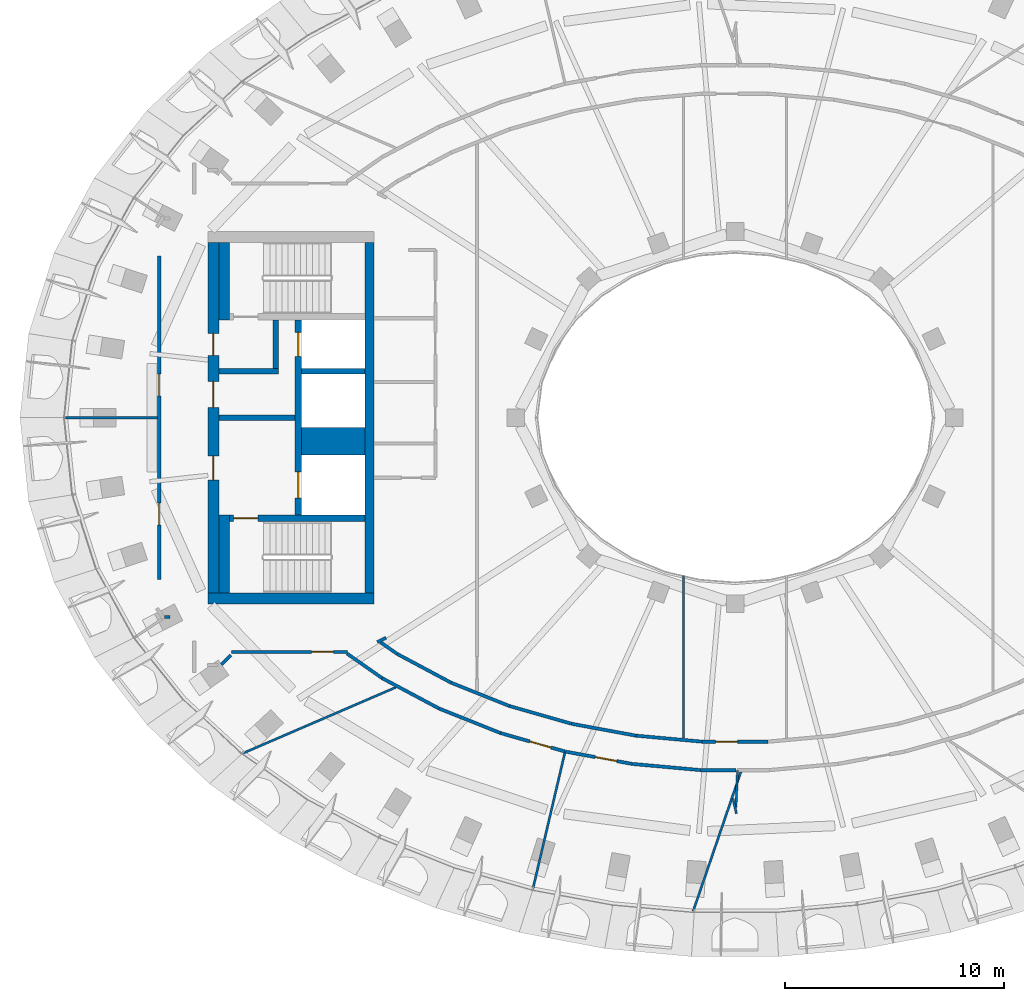
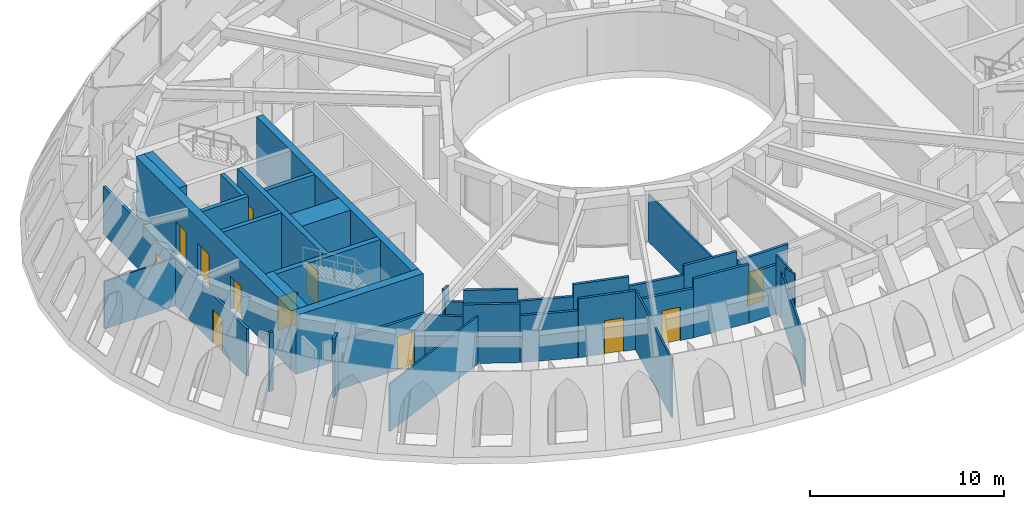
# One storey, part 3 of 13: 38 walls, 12 doors, 12 openings.
"""IFC4 building model written with IfcOpenShell, lengths in metres."""

from ifc_helpers import new_model, si_unit, direction, frame, frame_2d, origin, place, context, subcontext, project, spatial, rectangle, extrude, material, layer, layer_set, type_object, element, fill, save


model = new_model("IFC4")

# Units and contexts
model_context = context("Model", 3, precision=1e-05, world=origin(), true_north=direction((0.0, 1.0)))
body_context = subcontext(model_context, "Body", "Model", "MODEL_VIEW")
ifc_project = project(units=[si_unit("LENGTHUNIT", "METRE"), si_unit("AREAUNIT", "SQUARE_METRE"), si_unit("VOLUMEUNIT", "CUBIC_METRE"), si_unit("PLANEANGLEUNIT", "RADIAN"), si_unit("MASSUNIT", "GRAM", prefix="KILO")], contexts=[model_context])

# Site, building, storey
site_placement = place(None, origin())
site = spatial("IfcSite", under=ifc_project, at=site_placement, CompositionType="ELEMENT")
building_placement = place(site_placement, origin())
building = spatial("IfcBuilding", under=site, at=building_placement, Name="Noorbagh Ring Tower", CompositionType="ELEMENT")
storey_placement = place(building_placement, frame((0.0, 0.0, 347.0)))
storey = spatial("IfcBuildingStorey", under=building, at=storey_placement, Name="L76", CompositionType="ELEMENT", Elevation=347.0)

# Walls
ifc_material_1 = material(Name="Concrete C50/60", Category="concrete")
ifc_layer_1 = layer(ifc_material_1, 1.25)
ifc_layer_set_1 = layer_set([ifc_layer_1], Name="Concrete C50/60")
wall_type_1 = type_object("IfcWallType", Name="CORE-WALL-1250-C50-60-EI120", PredefinedType="SHEAR", material=ifc_layer_set_1)
wall_1_placement = place(storey_placement, frame((-16.89990234375, -1.074951171875, 0.0), z_axis=(0.0, 0.0, 1.0), x_axis=(-1.0, 0.0, 0.0)))
element("IfcWall", 1, at=wall_1_placement, inside=storey, type_object=wall_type_1, Name="Core wall W", PredefinedType="SHEAR", context=body_context, shape_type="SweptSolid", body=[
    extrude(rectangle(XDim=2.900146484375, YDim=1.25, at=frame_2d((1.4501953125, 0.0))), origin(), (0.0, 0.0, 1.0), 3.699951171875),
])
ifc_material_2 = material(Name="Concrete C50/60", Category="concrete")
ifc_layer_2 = layer(ifc_material_2, 0.25)
ifc_layer_set_2 = layer_set([ifc_layer_2], Name="Concrete C50/60")
wall_type_2 = type_object("IfcWallType", Name="CORE-WALL-250-C50-60-EI120", PredefinedType="SHEAR", material=ifc_layer_set_2)
wall_2_placement = place(storey_placement, frame((-16.89990234375, 2.125, 0.0), z_axis=(0.0, 0.0, 1.0), x_axis=(-1.0, 0.0, 0.0)))
element("IfcWall", 2, at=wall_2_placement, inside=storey, type_object=wall_type_2, Name="Core wall W", PredefinedType="SHEAR", context=body_context, shape_type="SweptSolid", body=[
    extrude(rectangle(XDim=2.900146484375, YDim=0.25, at=frame_2d((1.4501953125, 0.0))), origin(), (0.0, 0.0, 1.0), 3.699951171875),
])
ifc_material_3 = material(Name="Concrete C50/60", Category="concrete")
ifc_layer_3 = layer(ifc_material_3, 0.25)
ifc_layer_set_3 = layer_set([ifc_layer_3], Name="Concrete C50/60")
wall_type_3 = type_object("IfcWallType", Name="CORE-WALL-250-C50-60-EI240", PredefinedType="SHEAR", material=ifc_layer_set_3)
wall_3_placement = place(storey_placement, frame((-20.10009765625, 0.0, 0.0), z_axis=(0.0, 0.0, 1.0), x_axis=(-1.0, 0.0, 0.0)))
element("IfcWall", 3, at=wall_3_placement, inside=storey, type_object=wall_type_3, Name="Core wall W", PredefinedType="SHEAR", context=body_context, shape_type="SweptSolid", body=[
    extrude(rectangle(XDim=3.47998046875, YDim=0.25, at=frame_2d((1.739990234375, 0.0))), origin(), (0.0, 0.0, 1.0), 3.699951171875),
])
wall_4_placement = place(storey_placement, frame((-20.85009765625, 2.125, 0.0), z_axis=(0.0, 0.0, 1.0), x_axis=(-1.0, 0.0, 0.0)))
element("IfcWall", 4, at=wall_4_placement, inside=storey, type_object=wall_type_3, Name="Core wall W", PredefinedType="SHEAR", context=body_context, shape_type="SweptSolid", body=[
    extrude(rectangle(XDim=2.72998046875, YDim=0.25, at=frame_2d((1.364990234375, 0.0))), origin(), (0.0, 0.0, 1.0), 3.699951171875),
])
wall_5_placement = place(storey_placement, frame((-20.97509765625, 2.25, 0.0), z_axis=(0.0, 0.0, 1.0), x_axis=(0.0, 1.0, 0.0)))
element("IfcWall", 5, at=wall_5_placement, inside=storey, type_object=wall_type_3, Name="Core wall W", PredefinedType="SHEAR", context=body_context, shape_type="SweptSolid", body=[
    extrude(rectangle(XDim=2.199951171875, YDim=0.25, at=frame_2d((1.10009765625, 0.0))), origin(), (0.0, 0.0, 1.0), 3.699951171875),
])

# Wall, openings, doors
ifc_material_4 = material(Name="Concrete C50/60", Category="concrete")
ifc_layer_4 = layer(ifc_material_4, 0.300048828125)
ifc_layer_set_4 = layer_set([ifc_layer_4], Name="Concrete C50/60")
wall_type_4 = type_object("IfcWallType", Name="CORE-WALL-300-C50-60-EI120", PredefinedType="SHEAR", material=ifc_layer_set_4)
wall_6_placement = place(storey_placement, frame((-19.949951171875, -4.449951171875, 0.0), z_axis=(0.0, 0.0, 1.0), x_axis=(0.0, 1.0, 0.0)))
wall_6 = element("IfcWall", 6, at=wall_6_placement, inside=storey, type_object=wall_type_4, Name="Core wall W", PredefinedType="SHEAR", context=body_context, shape_type="SweptSolid", body=[
    extrude(rectangle(XDim=8.89990234375, YDim=0.300048828125, at=frame_2d((4.449951171875, 0.0))), origin(), (0.0, 0.0, 1.0), 3.699951171875),
])
opening_1_placement = place(wall_6_placement, frame((0.77490234375, 0.0, 0.0)))
opening_1 = element("IfcOpeningElement", 7, at=opening_1_placement, cuts=wall_6, Name="Opening L76-CW01", PredefinedType="OPENING", context=body_context, shape_type="SweptSolid", body=[
    extrude(rectangle(XDim=1.199951171875, YDim=2.10009765625, at=frame_2d((0.60009765625, 1.050048828125))), frame((0.0, 0.16015625, 0.0), z_axis=(0.0, -1.0, 0.0), x_axis=(1.0, 0.0, 0.0)), (0.0, 0.0, 1.0), 0.320068359375),
])
opening_2_placement = place(wall_6_placement, frame((7.25, 0.0, 0.0)))
opening_2 = element("IfcOpeningElement", 8, at=opening_2_placement, cuts=wall_6, Name="Opening L76-CW02", PredefinedType="OPENING", context=body_context, shape_type="SweptSolid", body=[
    extrude(rectangle(XDim=1.10009765625, YDim=2.10009765625, at=frame_2d((0.550048828125, 1.050048828125))), frame((0.0, 0.16015625, 0.0), z_axis=(0.0, -1.0, 0.0), x_axis=(1.0, 0.0, 0.0)), (0.0, 0.0, 1.0), 0.320068359375),
])
ifc_material_5 = material(Name="Steel door leaf", Category="steel")
door_type_1 = type_object("IfcDoorType", Name="CORE-DOOR-LD", OperationType="DOUBLE_DOOR_SLIDING", PredefinedType="DOOR", material=ifc_material_5)
door_1_placement = place(opening_2_placement, origin())
door_1 = element("IfcDoor", 9, at=door_1_placement, inside=storey, type_object=door_type_1, Name="Landing door HR1 L76-CW02", OperationType="DOUBLE_DOOR_SLIDING", OverallHeight=2.10009765625, OverallWidth=1.10009765625, PredefinedType="DOOR", context=body_context, shape_type="SweptSolid", body=[
    extrude(rectangle(XDim=1.10009765625, YDim=2.10009765625, at=frame_2d((0.550048828125, 1.050048828125))), frame((0.0, 0.02490234375, 0.0), z_axis=(0.0, -1.0, 0.0), x_axis=(1.0, 0.0, 0.0)), (0.0, 0.0, 1.0), 0.050048828125),
])
fill(opening_2, door_1)
ifc_material_6 = material(Name="Steel door leaf", Category="steel")
door_type_2 = type_object("IfcDoorType", Name="CORE-DOOR-LDW", OperationType="DOUBLE_DOOR_SLIDING", PredefinedType="DOOR", material=ifc_material_6)
door_2_placement = place(opening_1_placement, origin())
door_2 = element("IfcDoor", 10, at=door_2_placement, inside=storey, type_object=door_type_2, Name="Landing door FF1 L76-CW01", OperationType="DOUBLE_DOOR_SLIDING", OverallHeight=2.10009765625, OverallWidth=1.199951171875, PredefinedType="DOOR", context=body_context, shape_type="SweptSolid", body=[
    extrude(rectangle(XDim=1.199951171875, YDim=2.10009765625, at=frame_2d((0.60009765625, 1.050048828125))), frame((0.0, 0.02490234375, 0.0), z_axis=(0.0, -1.0, 0.0), x_axis=(1.0, 0.0, 0.0)), (0.0, 0.0, 1.0), 0.050048828125),
])
fill(opening_1, door_2)

# Wall, opening, door
ifc_material_7 = material(Name="Concrete C50/60", Category="concrete")
ifc_layer_5 = layer(ifc_material_7, 0.300048828125)
ifc_layer_set_5 = layer_set([ifc_layer_5], Name="Concrete C50/60")
wall_type_5 = type_object("IfcWallType", Name="CORE-WALL-300-C50-60-EI240", PredefinedType="SHEAR", material=ifc_layer_set_5)
wall_7_placement = place(storey_placement, frame((-16.89990234375, -4.60009765625, 0.0), z_axis=(0.0, 0.0, 1.0), x_axis=(-1.0, 0.0, 0.0)))
wall_7 = element("IfcWall", 11, at=wall_7_placement, inside=storey, type_object=wall_type_5, Name="Core wall W", PredefinedType="SHEAR", context=body_context, shape_type="SweptSolid", body=[
    extrude(rectangle(XDim=6.18017578125, YDim=0.300048828125, at=frame_2d((3.090087890625, 0.0))), origin(), (0.0, 0.0, 1.0), 3.699951171875),
])
opening_3_placement = place(wall_7_placement, frame((4.89990234375, 0.0, 0.0)))
opening_3 = element("IfcOpeningElement", 12, at=opening_3_placement, cuts=wall_7, Name="Opening L76-CW04", PredefinedType="OPENING", context=body_context, shape_type="SweptSolid", body=[
    extrude(rectangle(XDim=1.10009765625, YDim=2.10009765625, at=frame_2d((0.550048828125, 1.050048828125))), frame((0.0, 0.16015625, 0.0), z_axis=(0.0, -1.0, 0.0), x_axis=(1.0, 0.0, 0.0)), (0.0, 0.0, 1.0), 0.320068359375),
])
ifc_material_8 = material(Name="Steel door leaf", Category="steel")
door_type_3 = type_object("IfcDoorType", Name="CORE-DOOR-DSTAIR", OperationType="SINGLE_SWING_LEFT", PredefinedType="DOOR", material=ifc_material_8)
door_3_placement = place(opening_3_placement, origin())
door_3 = element("IfcDoor", 13, at=door_3_placement, inside=storey, type_object=door_type_3, Name="Stair door ST2 L76-CW04", OperationType="SINGLE_SWING_LEFT", OverallHeight=2.10009765625, OverallWidth=1.10009765625, PredefinedType="DOOR", context=body_context, shape_type="SweptSolid", body=[
    extrude(rectangle(XDim=1.10009765625, YDim=2.10009765625, at=frame_2d((0.550048828125, 1.050048828125))), frame((0.0, 0.02490234375, 0.0), z_axis=(0.0, -1.0, 0.0), x_axis=(1.0, 0.0, 0.0)), (0.0, 0.0, 1.0), 0.050048828125),
])
fill(opening_3, door_3)

# Walls
ifc_material_9 = material(Name="Concrete C50/60", Category="concrete")
ifc_layer_6 = layer(ifc_material_9, 0.39990234375)
ifc_layer_set_6 = layer_set([ifc_layer_6], Name="Concrete C50/60")
wall_type_6 = type_object("IfcWallType", Name="CORE-WALL-400-C50-60-EI240", PredefinedType="SHEAR", material=ifc_layer_set_6)
wall_8_placement = place(storey_placement, frame((-16.699951171875, -8.0, 0.0), z_axis=(0.0, 0.0, 1.0), x_axis=(0.0, 1.0, 0.0)))
element("IfcWall", 14, at=wall_8_placement, inside=storey, type_object=wall_type_6, Name="Core wall W", PredefinedType="SHEAR", context=body_context, shape_type="SweptSolid", body=[
    extrude(rectangle(XDim=16.0, YDim=0.39990234375, at=frame_2d((8.0, 0.0))), origin(), (0.0, 0.0, 1.0), 3.699951171875),
])
ifc_material_10 = material(Name="Concrete C50/60", Category="concrete")
ifc_layer_7 = layer(ifc_material_10, 0.5)
ifc_layer_set_7 = layer_set([ifc_layer_7], Name="Concrete C50/60")
wall_type_7 = type_object("IfcWallType", Name="CORE-WALL-500-C50-60-EI240", PredefinedType="SHEAR", material=ifc_layer_set_7)
wall_9_placement = place(storey_placement, frame((-16.5, -8.25, 0.0), z_axis=(0.0, 0.0, 1.0), x_axis=(-1.0, 0.0, 0.0)))
element("IfcWall", 15, at=wall_9_placement, inside=storey, type_object=wall_type_7, Name="Core wall W", PredefinedType="SHEAR", context=body_context, shape_type="SweptSolid", body=[
    extrude(rectangle(XDim=7.580078125, YDim=0.5, at=frame_2d((3.7900390625, 0.0))), origin(), (0.0, 0.0, 1.0), 3.699951171875),
])

# Wall, openings, doors
wall_10_placement = place(storey_placement, frame((-23.830078125, -8.0, 0.0), z_axis=(0.0, 0.0, 1.0), x_axis=(0.0, 1.0, 0.0)))
wall_10 = element("IfcWall", 16, at=wall_10_placement, inside=storey, type_object=wall_type_7, Name="Core wall W", PredefinedType="SHEAR", context=body_context, shape_type="SweptSolid", body=[
    extrude(rectangle(XDim=16.0, YDim=0.5, at=frame_2d((8.0, 0.0))), origin(), (0.0, 0.0, 1.0), 3.699951171875),
])
opening_4_placement = place(wall_10_placement, frame((5.14990234375, 0.0, 0.0)))
opening_4 = element("IfcOpeningElement", 17, at=opening_4_placement, cuts=wall_10, Name="Opening L76-CW05", PredefinedType="OPENING", context=body_context, shape_type="SweptSolid", body=[
    extrude(rectangle(XDim=1.10009765625, YDim=2.10009765625, at=frame_2d((0.550048828125, 1.050048828125))), frame((0.0, 0.260009765625, 0.0), z_axis=(0.0, -1.0, 0.0), x_axis=(1.0, 0.0, 0.0)), (0.0, 0.0, 1.0), 0.52001953125),
])
opening_5_placement = place(wall_10_placement, frame((10.85009765625, 0.0, 0.0)))
opening_5 = element("IfcOpeningElement", 18, at=opening_5_placement, cuts=wall_10, Name="Opening L76-CW06", PredefinedType="OPENING", context=body_context, shape_type="SweptSolid", body=[
    extrude(rectangle(XDim=1.0, YDim=2.10009765625, at=frame_2d((0.5, 1.050048828125))), frame((0.0, 0.260009765625, 0.0), z_axis=(0.0, -1.0, 0.0), x_axis=(1.0, 0.0, 0.0)), (0.0, 0.0, 1.0), 0.52001953125),
])
opening_6_placement = place(wall_10_placement, frame((8.4599609375, 0.0, 0.0)))
opening_6 = element("IfcOpeningElement", 19, at=opening_6_placement, cuts=wall_10, Name="Opening L76-CW07", PredefinedType="OPENING", context=body_context, shape_type="SweptSolid", body=[
    extrude(rectangle(XDim=1.199951171875, YDim=2.10009765625, at=frame_2d((0.60009765625, 1.050048828125))), frame((0.0, 0.260009765625, 0.0), z_axis=(0.0, -1.0, 0.0), x_axis=(1.0, 0.0, 0.0)), (0.0, 0.0, 1.0), 0.52001953125),
])
ifc_material_11 = material(Name="Steel door leaf", Category="steel")
door_type_4 = type_object("IfcDoorType", Name="CORE-DOOR-DFF", OperationType="SINGLE_SWING_LEFT", PredefinedType="DOOR", material=ifc_material_11)
door_4_placement = place(opening_4_placement, origin())
door_4 = element("IfcDoor", 20, at=door_4_placement, inside=storey, type_object=door_type_4, Name="Firefighting lobby door L76-CW05", OperationType="SINGLE_SWING_LEFT", OverallHeight=2.10009765625, OverallWidth=1.10009765625, PredefinedType="DOOR", context=body_context, shape_type="SweptSolid", body=[
    extrude(rectangle(XDim=1.10009765625, YDim=2.10009765625, at=frame_2d((0.550048828125, 1.050048828125))), frame((0.0, 0.02490234375, 0.0), z_axis=(0.0, -1.0, 0.0), x_axis=(1.0, 0.0, 0.0)), (0.0, 0.0, 1.0), 0.050048828125),
])
fill(opening_4, door_4)
ifc_material_12 = material(Name="Steel door leaf", Category="steel")
door_type_5 = type_object("IfcDoorType", Name="CORE-DOOR-DVEST", OperationType="SINGLE_SWING_LEFT", PredefinedType="DOOR", material=ifc_material_12)
door_5_placement = place(opening_5_placement, origin())
door_5 = element("IfcDoor", 21, at=door_5_placement, inside=storey, type_object=door_type_5, Name="Stair vestibule door L76-CW06", OperationType="SINGLE_SWING_LEFT", OverallHeight=2.10009765625, OverallWidth=1.0, PredefinedType="DOOR", context=body_context, shape_type="SweptSolid", body=[
    extrude(rectangle(XDim=1.0, YDim=2.10009765625, at=frame_2d((0.5, 1.050048828125))), frame((0.0, 0.02490234375, 0.0), z_axis=(0.0, -1.0, 0.0), x_axis=(1.0, 0.0, 0.0)), (0.0, 0.0, 1.0), 0.050048828125),
])
fill(opening_5, door_5)
ifc_material_13 = material(Name="Steel door leaf", Category="steel")
door_type_6 = type_object("IfcDoorType", Name="CORE-DOOR-PORT", OperationType="DOUBLE_DOOR_DOUBLE_SWING", PredefinedType="DOOR", material=ifc_material_13)
door_6_placement = place(opening_6_placement, origin())
door_6 = element("IfcDoor", 22, at=door_6_placement, inside=storey, type_object=door_type_6, Name="Core entrance door L76-CW07", OperationType="DOUBLE_DOOR_DOUBLE_SWING", OverallHeight=2.10009765625, OverallWidth=1.199951171875, PredefinedType="DOOR", context=body_context, shape_type="SweptSolid", body=[
    extrude(rectangle(XDim=1.199951171875, YDim=2.10009765625, at=frame_2d((0.60009765625, 1.050048828125))), frame((0.0, 0.02490234375, 0.0), z_axis=(0.0, -1.0, 0.0), x_axis=(1.0, 0.0, 0.0)), (0.0, 0.0, 1.0), 0.050048828125),
])
fill(opening_6, door_6)

# Walls
for number, where, z_axis, x_axis, name in (
    (23, (-23.330078125, 4.449951171875, 0.0), (0.0, 0.0, 1.0), (0.0, 1.0, 0.0), "Core wall W"),
    (24, (-23.330078125, -8.0, 0.0), (0.0, 0.0, 1.0), (0.0, 1.0, 0.0), "Core wall W"),
):
    element("IfcWall", number, at=place(storey_placement, frame(where, z_axis=z_axis, x_axis=x_axis)), inside=storey, type_object=wall_type_7, Name=name, PredefinedType="SHEAR", context=body_context, shape_type="SweptSolid", body=[
        extrude(rectangle(XDim=3.550048828125, YDim=0.5, at=frame_2d((1.77490234375, 0.0))), origin(), (0.0, 0.0, 1.0), 3.699951171875),
    ])

# Wall, openings, doors
ifc_material_14 = material(Name="Gypsum board on steel studs", Category="steel")
ifc_layer_8 = layer(ifc_material_14, 0.14990234375)
ifc_layer_set_8 = layer_set([ifc_layer_8], Name="Gypsum board on steel studs")
wall_type_8 = type_object("IfcWallType", Name="CORRIDOR PARTITION 150 EI 30", PredefinedType="PARTITIONING", material=ifc_layer_set_8)
wall_11_placement = place(storey_placement, frame((-26.300048828125, -7.385986328125, 0.0), z_axis=(0.0, 0.0, 1.0), x_axis=(0.0, 1.0, 0.0)))
wall_11 = element("IfcWall", 25, at=wall_11_placement, inside=storey, type_object=wall_type_8, Name="L76/wall/P06", PredefinedType="PARTITIONING", context=body_context, shape_type="SweptSolid", body=[
    extrude(rectangle(XDim=14.779052734375, YDim=0.14990234375, at=frame_2d((7.3896484375, 0.0))), origin(), (0.0, 0.0, 1.0), 3.0),
])
opening_7_placement = place(wall_11_placement, frame((2.486083984375, 0.0, 0.0)))
opening_7 = element("IfcOpeningElement", 26, at=opening_7_placement, cuts=wall_11, Name="Opening D1", PredefinedType="OPENING", context=body_context, shape_type="SweptSolid", body=[
    extrude(rectangle(XDim=1.0, YDim=2.10009765625, at=frame_2d((0.5, 1.050048828125))), frame((0.0, 0.0849609375, 0.0), z_axis=(0.0, -1.0, 0.0), x_axis=(1.0, 0.0, 0.0)), (0.0, 0.0, 1.0), 0.169921875),
])
opening_8_placement = place(wall_11_placement, frame((8.37890625, 0.0, 0.0)))
opening_8 = element("IfcOpeningElement", 27, at=opening_8_placement, cuts=wall_11, Name="Opening D1", PredefinedType="OPENING", context=body_context, shape_type="SweptSolid", body=[
    extrude(rectangle(XDim=1.0, YDim=2.10009765625, at=frame_2d((0.5, 1.050048828125))), frame((0.0, 0.0849609375, 0.0), z_axis=(0.0, -1.0, 0.0), x_axis=(1.0, 0.0, 0.0)), (0.0, 0.0, 1.0), 0.169921875),
])
ifc_material_15 = material(Name="Timber, painted", Category="wood")
door_type_7 = type_object("IfcDoorType", Name="DOOR 1000 X 2100 FD30", OperationType="SINGLE_SWING_LEFT", PredefinedType="DOOR", material=ifc_material_15)
door_7_placement = place(opening_7_placement, origin())
door_7 = element("IfcDoor", 28, at=door_7_placement, inside=storey, type_object=door_type_7, Name="L76-D06", OperationType="SINGLE_SWING_RIGHT", OverallHeight=2.10009765625, OverallWidth=1.0, PredefinedType="DOOR", context=body_context, shape_type="SweptSolid", body=[
    extrude(rectangle(XDim=1.0, YDim=2.10009765625, at=frame_2d((0.5, 1.050048828125))), frame((0.0, 0.02490234375, 0.0), z_axis=(0.0, -1.0, 0.0), x_axis=(1.0, 0.0, 0.0)), (0.0, 0.0, 1.0), 0.050048828125),
])
fill(opening_7, door_7)
door_8_placement = place(opening_8_placement, origin())
door_8 = element("IfcDoor", 29, at=door_8_placement, inside=storey, type_object=door_type_7, Name="L76-D07", OperationType="SINGLE_SWING_RIGHT", OverallHeight=2.10009765625, OverallWidth=1.0, PredefinedType="DOOR", context=body_context, shape_type="SweptSolid", body=[
    extrude(rectangle(XDim=1.0, YDim=2.10009765625, at=frame_2d((0.5, 1.050048828125))), frame((0.0, 0.02490234375, 0.0), z_axis=(0.0, -1.0, 0.0), x_axis=(1.0, 0.0, 0.0)), (0.0, 0.0, 1.0), 0.050048828125),
])
fill(opening_8, door_8)

# Wall
wall_12_placement = place(storey_placement, frame((-26.05810546875, -9.10009765625, 0.0), z_axis=(0.0, 0.0, 1.0), x_axis=(1.0, 0.0, 0.0)))
element("IfcWall", 30, at=wall_12_placement, inside=storey, type_object=wall_type_8, Name="L76/wall/P07", PredefinedType="PARTITIONING", context=body_context, shape_type="SweptSolid", body=[
    extrude(rectangle(XDim=0.251220703125, YDim=0.14990234375, at=frame_2d((0.12548828125, 0.0))), origin(), (0.0, 0.0, 1.0), 3.699951171875),
])

# Wall, opening, door
wall_13_placement = place(storey_placement, frame((-22.992919921875, -10.699951171875, 0.0), z_axis=(0.0, 0.0, 1.0), x_axis=(1.0, 0.0, 0.0)))
wall_13 = element("IfcWall", 31, at=wall_13_placement, inside=storey, type_object=wall_type_8, Name="L76/wall/P13", PredefinedType="PARTITIONING", context=body_context, shape_type="SweptSolid", body=[
    extrude(rectangle(XDim=5.2919921875, YDim=0.14990234375, at=frame_2d((2.64599609375, 0.0))), origin(), (0.0, 0.0, 1.0), 3.0),
])
opening_9_placement = place(wall_13_placement, frame((3.64990234375, 0.0, 0.0)))
opening_9 = element("IfcOpeningElement", 32, at=opening_9_placement, cuts=wall_13, Name="Opening D1", PredefinedType="OPENING", context=body_context, shape_type="SweptSolid", body=[
    extrude(rectangle(XDim=1.0, YDim=2.10009765625, at=frame_2d((0.5, 1.050048828125))), frame((0.0, 0.0849609375, 0.0), z_axis=(0.0, -1.0, 0.0), x_axis=(1.0, 0.0, 0.0)), (0.0, 0.0, 1.0), 0.169921875),
])
door_9_placement = place(opening_9_placement, origin())
door_9 = element("IfcDoor", 33, at=door_9_placement, inside=storey, type_object=door_type_7, Name="L76-D08", OperationType="SINGLE_SWING_RIGHT", OverallHeight=2.10009765625, OverallWidth=1.0, PredefinedType="DOOR", context=body_context, shape_type="SweptSolid", body=[
    extrude(rectangle(XDim=1.0, YDim=2.10009765625, at=frame_2d((0.5, 1.050048828125))), frame((0.0, 0.02490234375, 0.0), z_axis=(0.0, -1.0, 0.0), x_axis=(1.0, 0.0, 0.0)), (0.0, 0.0, 1.0), 0.050048828125),
])
fill(opening_9, door_9)

# Walls
wall_14_placement = place(storey_placement, frame((-17.72509765625, -10.77490234375, 0.0), z_axis=(0.0, 0.0, 1.0), x_axis=(0.819366063165, -0.573270664288, 0.0)))
element("IfcWall", 34, at=wall_14_placement, inside=storey, type_object=wall_type_8, Name="L76/wall/P17", PredefinedType="PARTITIONING", context=body_context, shape_type="SweptSolid", body=[
    extrude(rectangle(XDim=1.96630859375, YDim=0.14990234375, at=frame_2d((0.983154296875, 0.0))), origin(), (0.0, 0.0, 1.0), 2.949951171875),
])
wall_15_placement = place(storey_placement, frame((-16.3369140625, -10.2509765625, 0.0), z_axis=(0.0, 0.0, 1.0), x_axis=(0.894869210213, 0.446328462696, 0.0)))
element("IfcWall", 35, at=wall_15_placement, inside=storey, type_object=wall_type_8, Name="L76/wall/P23", PredefinedType="PARTITIONING", context=body_context, shape_type="SweptSolid", body=[
    extrude(rectangle(XDim=0.44140625, YDim=0.14990234375, at=frame_2d((0.220703125, 0.0))), origin(), (0.0, 0.0, 1.0), 3.699951171875),
])
wall_16_placement = place(storey_placement, frame((-16.19091796875, -10.261962890625, 0.0), z_axis=(0.0, 0.0, 1.0), x_axis=(0.819455106519, -0.573143375081, 0.0)))
element("IfcWall", 36, at=wall_16_placement, inside=storey, type_object=wall_type_8, Name="L76/wall/P24", PredefinedType="PARTITIONING", context=body_context, shape_type="SweptSolid", body=[
    extrude(rectangle(XDim=0.9248046875, YDim=0.14990234375, at=frame_2d((0.46240234375, 0.0))), origin(), (0.0, 0.0, 1.0), 2.949951171875),
])
wall_17_placement = place(storey_placement, frame((-16.114013671875, -11.902099609375, 0.0), z_axis=(0.0, 0.0, 1.0), x_axis=(0.882371338396, -0.470553738883, 0.0)))
element("IfcWall", 37, at=wall_17_placement, inside=storey, type_object=wall_type_8, Name="L76/wall/P27", PredefinedType="PARTITIONING", context=body_context, shape_type="SweptSolid", body=[
    extrude(rectangle(XDim=2.938720703125, YDim=0.14990234375, at=frame_2d((1.46923828125, 0.0))), origin(), (0.0, 0.0, 1.0), 3.699951171875),
])
wall_18_placement = place(storey_placement, frame((-15.43310546875, -10.7919921875, 0.0), z_axis=(0.0, 0.0, 1.0), x_axis=(0.882445003112, -0.470415578487, 0.0)))
element("IfcWall", 38, at=wall_18_placement, inside=storey, type_object=wall_type_8, Name="L76/wall/P29", PredefinedType="PARTITIONING", context=body_context, shape_type="SweptSolid", body=[
    extrude(rectangle(XDim=2.7890625, YDim=0.14990234375, at=frame_2d((1.39453125, 0.0))), origin(), (0.0, 0.0, 1.0), 3.699951171875),
])
wall_19_placement = place(storey_placement, frame((-13.52099609375, -13.284912109375, 0.0), z_axis=(0.0, 0.0, 1.0), x_axis=(0.928710811389, -0.370804839248, 0.0)))
element("IfcWall", 39, at=wall_19_placement, inside=storey, type_object=wall_type_8, Name="L76/wall/P34", PredefinedType="PARTITIONING", context=body_context, shape_type="SweptSolid", body=[
    extrude(rectangle(XDim=3.01806640625, YDim=0.14990234375, at=frame_2d((1.509033203125, 0.0))), origin(), (0.0, 0.0, 1.0), 2.949951171875),
])
wall_20_placement = place(storey_placement, frame((-12.971923828125, -12.10400390625, 0.0), z_axis=(0.0, 0.0, 1.0), x_axis=(0.928576025609, -0.371142243168, 0.0)))
element("IfcWall", 40, at=wall_20_placement, inside=storey, type_object=wall_type_8, Name="L76/wall/P36", PredefinedType="PARTITIONING", context=body_context, shape_type="SweptSolid", body=[
    extrude(rectangle(XDim=2.880615234375, YDim=0.14990234375, at=frame_2d((1.4404296875, 0.0))), origin(), (0.0, 0.0, 1.0), 2.949951171875),
])

# Wall, opening, door
wall_21_placement = place(storey_placement, frame((-10.718017578125, -14.404052734375, 0.0), z_axis=(0.0, 0.0, 1.0), x_axis=(0.961382130139, -0.275217005013, 0.0)))
wall_21 = element("IfcWall", 41, at=wall_21_placement, inside=storey, type_object=wall_type_8, Name="L76/wall/P39", PredefinedType="PARTITIONING", context=body_context, shape_type="SweptSolid", body=[
    extrude(rectangle(XDim=3.055908203125, YDim=0.14990234375, at=frame_2d((1.52783203125, 0.0))), origin(), (0.0, 0.0, 1.0), 3.699951171875),
])
opening_10_placement = place(wall_21_placement, frame((1.39990234375, 0.0, 0.0)))
opening_10 = element("IfcOpeningElement", 42, at=opening_10_placement, cuts=wall_21, Name="Opening D1", PredefinedType="OPENING", context=body_context, shape_type="SweptSolid", body=[
    extrude(rectangle(XDim=1.0, YDim=2.10009765625, at=frame_2d((0.5, 1.050048828125))), frame((0.0, 0.0849609375, 0.0), z_axis=(0.0, -1.0, 0.0), x_axis=(1.0, 0.0, 0.0)), (0.0, 0.0, 1.0), 0.169921875),
])
door_10_placement = place(opening_10_placement, origin())
door_10 = element("IfcDoor", 43, at=door_10_placement, inside=storey, type_object=door_type_7, Name="L76-D10", OperationType="SINGLE_SWING_RIGHT", OverallHeight=2.10009765625, OverallWidth=1.0, PredefinedType="DOOR", context=body_context, shape_type="SweptSolid", body=[
    extrude(rectangle(XDim=1.0, YDim=2.10009765625, at=frame_2d((0.5, 1.050048828125))), frame((0.0, 0.02490234375, 0.0), z_axis=(0.0, -1.0, 0.0), x_axis=(1.0, 0.0, 0.0)), (0.0, 0.0, 1.0), 0.050048828125),
])
fill(opening_10, door_10)

# Wall
wall_22_placement = place(storey_placement, frame((-10.297119140625, -13.173095703125, 0.0), z_axis=(0.0, 0.0, 1.0), x_axis=(0.961520822089, -0.274732067092, 0.0)))
element("IfcWall", 44, at=wall_22_placement, inside=storey, type_object=wall_type_8, Name="L76/wall/P41", PredefinedType="PARTITIONING", context=body_context, shape_type="SweptSolid", body=[
    extrude(rectangle(XDim=2.94775390625, YDim=0.14990234375, at=frame_2d((1.473876953125, 0.0))), origin(), (0.0, 0.0, 1.0), 3.699951171875),
])

# Wall, opening, door
wall_23_placement = place(storey_placement, frame((-7.760986328125, -15.25, 0.0), z_axis=(0.0, 0.0, 1.0), x_axis=(0.983356767642, -0.181685077905, 0.0)))
wall_23 = element("IfcWall", 45, at=wall_23_placement, inside=storey, type_object=wall_type_8, Name="L76/wall/P45", PredefinedType="PARTITIONING", context=body_context, shape_type="SweptSolid", body=[
    extrude(rectangle(XDim=3.11474609375, YDim=0.14990234375, at=frame_2d((1.557373046875, 0.0))), origin(), (0.0, 0.0, 1.0), 3.10009765625),
])
opening_11_placement = place(wall_23_placement, frame((1.39990234375, 0.0, 0.0)))
opening_11 = element("IfcOpeningElement", 46, at=opening_11_placement, cuts=wall_23, Name="Opening D1", PredefinedType="OPENING", context=body_context, shape_type="SweptSolid", body=[
    extrude(rectangle(XDim=1.0, YDim=2.10009765625, at=frame_2d((0.5, 1.050048828125))), frame((0.0, 0.0849609375, 0.0), z_axis=(0.0, -1.0, 0.0), x_axis=(1.0, 0.0, 0.0)), (0.0, 0.0, 1.0), 0.169921875),
])
door_11_placement = place(opening_11_placement, origin())
door_11 = element("IfcDoor", 47, at=door_11_placement, inside=storey, type_object=door_type_7, Name="L76-D12", OperationType="SINGLE_SWING_RIGHT", OverallHeight=2.10009765625, OverallWidth=1.0, PredefinedType="DOOR", context=body_context, shape_type="SweptSolid", body=[
    extrude(rectangle(XDim=1.0, YDim=2.10009765625, at=frame_2d((0.5, 1.050048828125))), frame((0.0, 0.02490234375, 0.0), z_axis=(0.0, -1.0, 0.0), x_axis=(1.0, 0.0, 0.0)), (0.0, 0.0, 1.0), 0.050048828125),
])
fill(opening_11, door_11)

# Walls
wall_24_placement = place(storey_placement, frame((-7.462890625, -13.98291015625, 0.0), z_axis=(0.0, 0.0, 1.0), x_axis=(0.983401893443, -0.181440667913, 0.0)))
element("IfcWall", 48, at=wall_24_placement, inside=storey, type_object=wall_type_8, Name="L76/wall/P47", PredefinedType="PARTITIONING", context=body_context, shape_type="SweptSolid", body=[
    extrude(rectangle(XDim=2.992431640625, YDim=0.14990234375, at=frame_2d((1.49609375, 0.0))), origin(), (0.0, 0.0, 1.0), 3.10009765625),
])
wall_25_placement = place(storey_placement, frame((-4.697998046875, -15.81591796875, 0.0), z_axis=(0.0, 0.0, 1.0), x_axis=(0.995918677146, -0.090255130116, 0.0)))
element("IfcWall", 49, at=wall_25_placement, inside=storey, type_object=wall_type_8, Name="L76/wall/P49", PredefinedType="PARTITIONING", context=body_context, shape_type="SweptSolid", body=[
    extrude(rectangle(XDim=3.1376953125, YDim=0.14990234375, at=frame_2d((1.56884765625, 0.0))), origin(), (0.0, 0.0, 1.0), 3.699951171875),
])
wall_26_placement = place(storey_placement, frame((-4.52001953125, -14.52587890625, 0.0), z_axis=(0.0, 0.0, 1.0), x_axis=(0.995895857898, -0.09050657557, 0.0)))
element("IfcWall", 50, at=wall_26_placement, inside=storey, type_object=wall_type_8, Name="L76/wall/P51", PredefinedType="PARTITIONING", context=body_context, shape_type="SweptSolid", body=[
    extrude(rectangle(XDim=3.0185546875, YDim=0.14990234375, at=frame_2d((1.50927734375, 0.0))), origin(), (0.0, 0.0, 1.0), 3.699951171875),
])
wall_27_placement = place(storey_placement, frame((-1.572998046875, -16.09912109375, 0.0), z_axis=(0.0, 0.0, 1.0), x_axis=(1.0, 0.0, 0.0)))
element("IfcWall", 51, at=wall_27_placement, inside=storey, type_object=wall_type_8, Name="L76/wall/P57", PredefinedType="PARTITIONING", context=body_context, shape_type="SweptSolid", body=[
    extrude(rectangle(XDim=1.614013671875, YDim=0.14990234375, at=frame_2d((0.80712890625, 0.0))), origin(), (0.0, 0.0, 1.0), 3.10009765625),
])

# Wall, opening, door
wall_28_placement = place(storey_placement, frame((-1.513916015625, -14.799072265625, 0.0), z_axis=(0.0, 0.0, 1.0), x_axis=(1.0, 0.0, 0.0)))
wall_28 = element("IfcWall", 52, at=wall_28_placement, inside=storey, type_object=wall_type_8, Name="L76/wall/P59", PredefinedType="PARTITIONING", context=body_context, shape_type="SweptSolid", body=[
    extrude(rectangle(XDim=3.02783203125, YDim=0.14990234375, at=frame_2d((1.513916015625, 0.0))), origin(), (0.0, 0.0, 1.0), 3.10009765625),
])
opening_12_placement = place(wall_28_placement, frame((0.6279296875, 0.0, 0.0)))
opening_12 = element("IfcOpeningElement", 53, at=opening_12_placement, cuts=wall_28, Name="Opening D1", PredefinedType="OPENING", context=body_context, shape_type="SweptSolid", body=[
    extrude(rectangle(XDim=1.0, YDim=2.10009765625, at=frame_2d((0.5, 1.050048828125))), frame((0.0, 0.0849609375, 0.0), z_axis=(0.0, -1.0, 0.0), x_axis=(1.0, 0.0, 0.0)), (0.0, 0.0, 1.0), 0.169921875),
])
door_12_placement = place(opening_12_placement, origin())
door_12 = element("IfcDoor", 54, at=door_12_placement, inside=storey, type_object=door_type_7, Name="L76-D22", OperationType="SINGLE_SWING_RIGHT", OverallHeight=2.10009765625, OverallWidth=1.0, PredefinedType="DOOR", context=body_context, shape_type="SweptSolid", body=[
    extrude(rectangle(XDim=1.0, YDim=2.10009765625, at=frame_2d((0.5, 1.050048828125))), frame((0.0, 0.02490234375, 0.0), z_axis=(0.0, -1.0, 0.0), x_axis=(1.0, 0.0, 0.0)), (0.0, 0.0, 1.0), 0.050048828125),
])
fill(opening_12, door_12)

# Walls
wall_29_placement = place(storey_placement, frame((-23.02587890625, -10.845947265625, 0.0), z_axis=(0.0, 0.0, 1.0), x_axis=(-0.70551060944, -0.708699357957, 0.0)))
element("IfcWall", 55, at=wall_29_placement, inside=storey, type_object=wall_type_8, Name="L76/wall/P113", PredefinedType="PARTITIONING", context=body_context, shape_type="SweptSolid", body=[
    extrude(rectangle(XDim=0.612548828125, YDim=0.14990234375, at=frame_2d((0.30615234375, 0.0))), origin(), (0.0, 0.0, 1.0), 3.699951171875),
])
ifc_material_16 = material(Name="Gypsum board on steel studs", Category="steel")
ifc_layer_9 = layer(ifc_material_16, 0.10009765625)
ifc_layer_set_9 = layer_set([ifc_layer_9], Name="Gypsum board on steel studs")
wall_type_9 = type_object("IfcWallType", Name="PARTITION 100 GYPSUM", PredefinedType="PARTITIONING", material=ifc_layer_set_9)
wall_30_placement = place(storey_placement, frame((-30.590087890625, 0.0, 0.0), z_axis=(0.0, 0.0, 1.0), x_axis=(1.0, 0.0, 0.0)))
element("IfcWall", 56, at=wall_30_placement, inside=storey, type_object=wall_type_9, Name="L76/wall/P01", PredefinedType="PARTITIONING", context=body_context, shape_type="SweptSolid", body=[
    extrude(rectangle(XDim=4.215087890625, YDim=0.10009765625, at=frame_2d((2.107421875, 0.0))), origin(), (0.0, 0.0, 1.0), 3.0),
])
wall_31_placement = place(storey_placement, frame((-22.469970703125, -15.324951171875, 0.0), z_axis=(0.0, 0.0, 1.0), x_axis=(0.918328517553, 0.39581906706, 0.0)))
element("IfcWall", 57, at=wall_31_placement, inside=storey, type_object=wall_type_9, Name="L76/wall/P16", PredefinedType="PARTITIONING", context=body_context, shape_type="SweptSolid", body=[
    extrude(rectangle(XDim=7.596435546875, YDim=0.10009765625, at=frame_2d((3.79833984375, 0.0))), origin(), (0.0, 0.0, 1.0), 3.0),
])
wall_32_placement = place(storey_placement, frame((-9.236083984375, -21.537109375, 0.0), z_axis=(0.0, 0.0, 1.0), x_axis=(0.228410954029, 0.973564808361, 0.0)))
element("IfcWall", 58, at=wall_32_placement, inside=storey, type_object=wall_type_9, Name="L76/wall/P43", PredefinedType="PARTITIONING", context=body_context, shape_type="SweptSolid", body=[
    extrude(rectangle(XDim=6.453857421875, YDim=0.10009765625, at=frame_2d((3.22705078125, 0.0))), origin(), (0.0, 0.0, 1.0), 3.699951171875),
])
wall_33_placement = place(storey_placement, frame((-2.35693359375, -14.64306640625, 0.0), z_axis=(0.0, 0.0, 1.0), x_axis=(0.0, 1.0, 0.0)))
element("IfcWall", 59, at=wall_33_placement, inside=storey, type_object=wall_type_9, Name="L76/wall/P53", PredefinedType="PARTITIONING", context=body_context, shape_type="SweptSolid", body=[
    extrude(rectangle(XDim=7.43310546875, YDim=0.10009765625, at=frame_2d((3.716552734375, 0.0))), origin(), (0.0, 0.0, 1.0), 3.0),
])
wall_34_placement = place(storey_placement, frame((-1.912109375, -22.5400390625, 0.0), z_axis=(0.0, 0.0, 1.0), x_axis=(0.324177680129, 0.945996211253, 0.0)))
element("IfcWall", 60, at=wall_34_placement, inside=storey, type_object=wall_type_9, Name="L76/wall/P55", PredefinedType="PARTITIONING", context=body_context, shape_type="SweptSolid", body=[
    extrude(rectangle(XDim=6.725341796875, YDim=0.10009765625, at=frame_2d((3.36279296875, 0.0))), origin(), (0.0, 0.0, 1.0), 3.0),
])
wall_35_placement = place(storey_placement, frame((-0.096923828125, -17.39990234375, 0.0), z_axis=(0.0, 0.0, 1.0), x_axis=(0.228324745466, -0.973585029983, 0.0)))
element("IfcWall", 61, at=wall_35_placement, inside=storey, type_object=wall_type_9, Name="L76/wall/P61", PredefinedType="PARTITIONING", context=body_context, shape_type="SweptSolid", body=[
    extrude(rectangle(XDim=0.70458984375, YDim=0.10009765625, at=frame_2d((0.352294921875, 0.0))), origin(), (0.0, 0.0, 1.0), 3.699951171875),
])
wall_36_placement = place(storey_placement, frame((0.0400390625, -17.802978515625, 0.0), z_axis=(0.0, 0.0, 1.0), x_axis=(0.044256738599, 0.999020190531, 0.0)))
element("IfcWall", 62, at=wall_36_placement, inside=storey, type_object=wall_type_9, Name="L76/wall/P63", PredefinedType="PARTITIONING", context=body_context, shape_type="SweptSolid", body=[
    extrude(rectangle(XDim=1.693603515625, YDim=0.10009765625, at=frame_2d((0.8466796875, 0.0))), origin(), (0.0, 0.0, 1.0), 3.699951171875),
])

save(model, "model.ifc")
